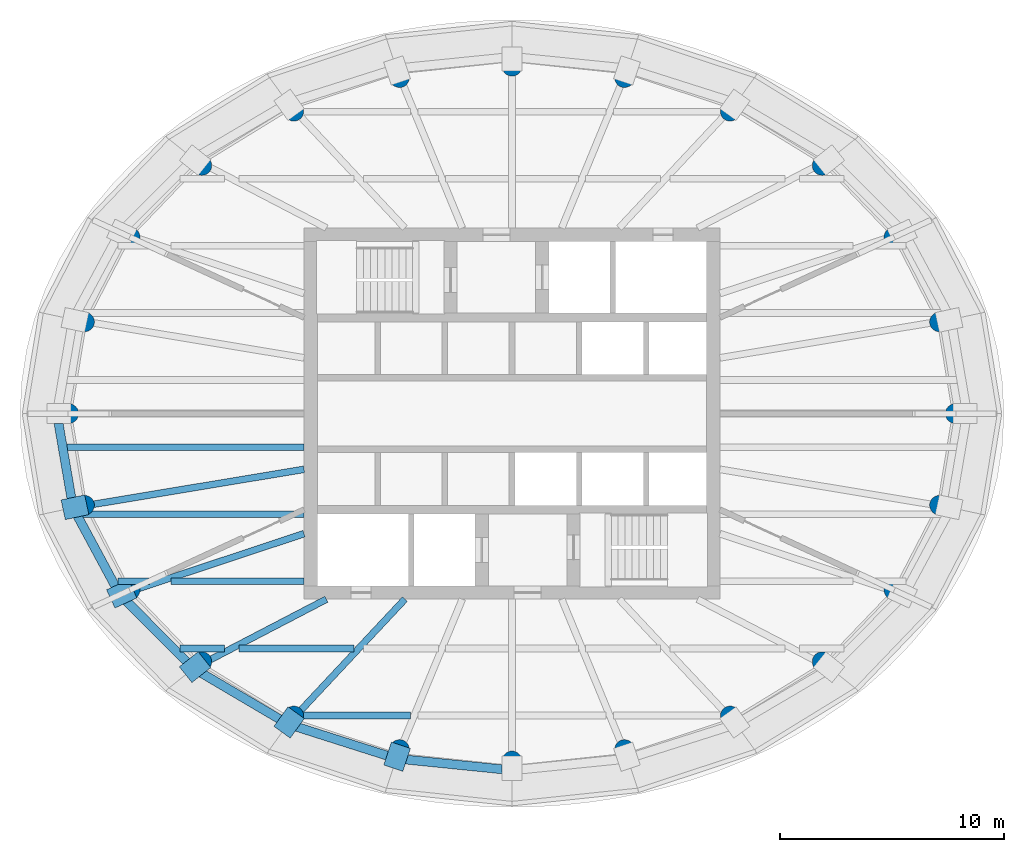
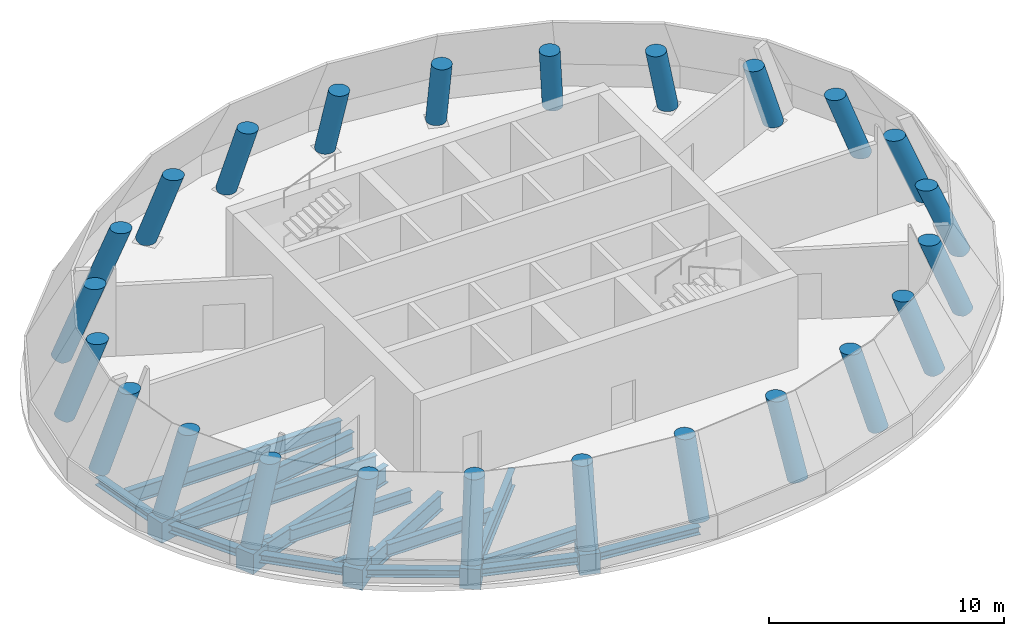
# One storey, part 1 of 6: 24 columns, 22 beams.
"""IFC4 building model written with IfcOpenShell, lengths in metres."""

from ifc_helpers import new_model, si_unit, direction, frame, origin, origin_2d, place, context, subcontext, project, spatial, rectangle, circle, i_section, extrude, clip, halfspace, material, material_profile, profile_set, type_object, element, save


model = new_model("IFC4")

# Units and contexts
model_context = context("Model", 3, precision=1e-05, world=origin(), true_north=direction((0.0, 1.0)))
body_context = subcontext(model_context, "Body", "Model", "MODEL_VIEW")
ifc_project = project(units=[si_unit("LENGTHUNIT", "METRE"), si_unit("AREAUNIT", "SQUARE_METRE"), si_unit("VOLUMEUNIT", "CUBIC_METRE"), si_unit("PLANEANGLEUNIT", "RADIAN"), si_unit("MASSUNIT", "GRAM", prefix="KILO")], contexts=[model_context])

# Site, building, storey
site_placement = place(None, origin())
site = spatial("IfcSite", under=ifc_project, at=site_placement, CompositionType="ELEMENT")
building_placement = place(site_placement, origin())
building = spatial("IfcBuilding", under=site, at=building_placement, Name="Hankou Lantern Tower", CompositionType="ELEMENT")
storey_placement = place(building_placement, frame((0.0, 0.0, 232.5)))
storey = spatial("IfcBuildingStorey", under=building, at=storey_placement, Name="L63", CompositionType="ELEMENT", Elevation=232.5)

# Columns
ifc_material_1 = material(Name="Concrete C50", Category="concrete")
ifc_material_profile_1 = material_profile(ifc_material_1, circle(Radius=0.449951171875, at=origin_2d()), Name="RC D900")
ifc_profile_set_1 = profile_set([ifc_material_profile_1], Name="Concrete C50")
column_type = type_object("IfcColumnType", Name="TC5 PERIMETER COLUMN RC D900", PredefinedType="COLUMN", material=ifc_profile_set_1)
column_1_placement = place(storey_placement, frame((20.35009765625, 0.0, 0.0), z_axis=(-0.376406117504, 0.0, 0.926454766681), x_axis=(0.0, -1.0, 0.0)))
element("IfcColumn", 1, at=column_1_placement, inside=storey, type_object=column_type, Name="Column R01 L63", PredefinedType="COLUMN", context=body_context, shape_type="Clipping", body=[
    clip(clip(extrude(circle(Radius=0.449951171875, at=origin_2d()), origin(), (0.0, 0.0, 1.0), 5.18115234375), halfspace(frame((0.0, 0.0, 0.0), z_axis=(0.0, -0.376406117504, -0.926454766681), x_axis=(0.0, 0.926454766681, -0.376406117504)), False)), halfspace(frame((0.0, 0.0, 4.047607421875), z_axis=(0.0, 0.376406117504, 0.926454766681), x_axis=(0.0, 0.926454766681, -0.376406117504)), False)),
])
column_2_placement = place(storey_placement, frame((19.629150390625, 4.207763671875, 0.0), z_axis=(-0.364048168822, -0.078030552783, 0.928105685582), x_axis=(0.209581040709, -0.977791280067, 0.0)))
element("IfcColumn", 2, at=column_2_placement, inside=storey, type_object=column_type, Name="Column R02 L63", PredefinedType="COLUMN", context=body_context, shape_type="Clipping", body=[
    clip(clip(extrude(circle(Radius=0.449951171875, at=origin_2d()), origin(), (0.0, 0.0, 1.0), 5.171875), halfspace(frame((0.0, 0.0, 0.0), z_axis=(0.0, -0.372316849458, -0.928105685582), x_axis=(0.209581040709, 0.907493646343, -0.364048168822)), False)), halfspace(frame((0.0, 0.0, 4.04052734375), z_axis=(0.0, 0.372316849458, 0.928105685582), x_axis=(0.209581040709, 0.907493646343, -0.364048168822)), False)),
])
column_3_placement = place(storey_placement, frame((17.5322265625, 8.097900390625, 0.0), z_axis=(-0.327587930128, -0.151318490748, 0.932624716803), x_axis=(0.419341586942, -0.907828526464, 0.0)))
element("IfcColumn", 3, at=column_3_placement, inside=storey, type_object=column_type, Name="Column R03 L63", PredefinedType="COLUMN", context=body_context, shape_type="Clipping", body=[
    clip(clip(extrude(circle(Radius=0.449951171875, at=origin_2d()), origin(), (0.0, 0.0, 1.0), 5.146728515625), halfspace(frame((0.0, 0.0, 0.0), z_axis=(0.0, -0.360847803939, -0.932624716803), x_axis=(0.419341586942, 0.846663322399, -0.327587930128)), False)), halfspace(frame((0.0, 0.0, 4.02099609375), z_axis=(0.0, 0.360847803939, 0.932624716803), x_axis=(0.419341586942, 0.846663322399, -0.327587930128)), False)),
])
column_4_placement = place(storey_placement, frame((14.241455078125, 11.393310546875, 0.0), z_axis=(-0.268846792682, -0.215077434146, 0.938862662686), x_axis=(0.624695047554, -0.780868809443, 0.0)))
element("IfcColumn", 4, at=column_4_placement, inside=storey, type_object=column_type, Name="Column R04 L63", PredefinedType="COLUMN", context=body_context, shape_type="Clipping", body=[
    clip(clip(extrude(circle(Radius=0.449951171875, at=origin_2d()), origin(), (0.0, 0.0, 1.0), 5.112548828125), halfspace(frame((0.0, 0.0, 0.0), z_axis=(0.0, -0.344291882876, -0.938862662686), x_axis=(0.624695047554, 0.733128569642, -0.268846792682)), False)), halfspace(frame((0.0, 0.0, 3.994140625), z_axis=(0.0, 0.344291882876, 0.938862662686), x_axis=(0.624695047554, 0.733128569642, -0.268846792682)), False)),
])
column_5_placement = place(storey_placement, frame((10.01904296875, 13.8828125, 0.0), z_axis=(-0.191050042775, -0.264749014989, 0.945202539257), x_axis=(0.810908255793, -0.585173308248, 0.0)))
element("IfcColumn", 5, at=column_5_placement, inside=storey, type_object=column_type, Name="Column R05 L63", PredefinedType="COLUMN", context=body_context, shape_type="Clipping", body=[
    clip(clip(extrude(circle(Radius=0.449951171875, at=origin_2d()), origin(), (0.0, 0.0, 1.0), 5.078369140625), halfspace(frame((0.0, 0.0, 0.0), z_axis=(0.0, -0.326484547539, -0.945202539257), x_axis=(0.810908255793, 0.553107296862, -0.191050042775)), False)), halfspace(frame((0.0, 0.0, 3.96728515625), z_axis=(0.0, 0.326484547539, 0.945202539257), x_axis=(0.810908255793, 0.553107296862, -0.191050042775)), False)),
])
column_6_placement = place(storey_placement, frame((5.167236328125, 15.42724609375, 0.0), z_axis=(-0.099283916017, -0.296402347816, 0.949888599905), x_axis=(0.948218601657, -0.317618455812, 0.0)))
element("IfcColumn", 6, at=column_6_placement, inside=storey, type_object=column_type, Name="Column R06 L63", PredefinedType="COLUMN", context=body_context, shape_type="Clipping", body=[
    clip(clip(extrude(circle(Radius=0.449951171875, at=origin_2d()), origin(), (0.0, 0.0, 1.0), 5.05322265625), halfspace(frame((0.0, 0.0, 0.0), z_axis=(0.0, -0.312588623866, -0.949888599905), x_axis=(0.948218601657, 0.301702150295, -0.099283916017)), False)), halfspace(frame((0.0, 0.0, 3.94775390625), z_axis=(0.0, 0.312588623866, 0.949888599905), x_axis=(0.948218601657, 0.301702150295, -0.099283916017)), False)),
])
column_7_placement = place(storey_placement, frame((0.0, 15.949951171875, 0.0), z_axis=(0.0, -0.307298326347, 0.951613229534), x_axis=(1.0, 0.0, 0.0)))
element("IfcColumn", 7, at=column_7_placement, inside=storey, type_object=column_type, Name="Column R07 L63", PredefinedType="COLUMN", context=body_context, shape_type="Clipping", body=[
    clip(clip(extrude(circle(Radius=0.449951171875, at=origin_2d()), origin(), (0.0, 0.0, 1.0), 5.044189453125), halfspace(frame((0.0, 0.0, 0.0), z_axis=(0.0, -0.307298326347, -0.951613229534), x_axis=(1.0, 0.0, 0.0)), False)), halfspace(frame((0.0, 0.0, 3.940673828125), z_axis=(0.0, 0.307298326347, 0.951613229534), x_axis=(1.0, 0.0, 0.0)), False)),
])
column_8_placement = place(storey_placement, frame((-5.167236328125, 15.42724609375, 0.0), z_axis=(0.099283916017, -0.296402347816, 0.949888599905), x_axis=(0.948218601657, 0.317618455812, 0.0)))
element("IfcColumn", 8, at=column_8_placement, inside=storey, type_object=column_type, Name="Column R08 L63", PredefinedType="COLUMN", context=body_context, shape_type="Clipping", body=[
    clip(clip(extrude(circle(Radius=0.449951171875, at=origin_2d()), origin(), (0.0, 0.0, 1.0), 5.05322265625), halfspace(frame((0.0, 0.0, 0.0), z_axis=(0.0, -0.312588623866, -0.949888599905), x_axis=(0.948218601657, -0.301702150295, 0.099283916017)), False)), halfspace(frame((0.0, 0.0, 3.94775390625), z_axis=(0.0, 0.312588623866, 0.949888599905), x_axis=(0.948218601657, -0.301702150295, 0.099283916017)), False)),
])
column_9_placement = place(storey_placement, frame((-10.01904296875, 13.8828125, 0.0), z_axis=(0.191050042775, -0.264749014989, 0.945202539257), x_axis=(0.810908255793, 0.585173308248, 0.0)))
element("IfcColumn", 9, at=column_9_placement, inside=storey, type_object=column_type, Name="Column R09 L63", PredefinedType="COLUMN", context=body_context, shape_type="Clipping", body=[
    clip(clip(extrude(circle(Radius=0.449951171875, at=origin_2d()), origin(), (0.0, 0.0, 1.0), 5.078369140625), halfspace(frame((0.0, 0.0, 0.0), z_axis=(0.0, -0.326484547539, -0.945202539257), x_axis=(0.810908255793, -0.553107296862, 0.191050042775)), False)), halfspace(frame((0.0, 0.0, 3.96728515625), z_axis=(0.0, 0.326484547539, 0.945202539257), x_axis=(0.810908255793, -0.553107296862, 0.191050042775)), False)),
])
column_10_placement = place(storey_placement, frame((-14.241455078125, 11.393310546875, 0.0), z_axis=(0.268846792682, -0.215077434146, 0.938862662686), x_axis=(0.624695047554, 0.780868809443, 0.0)))
element("IfcColumn", 10, at=column_10_placement, inside=storey, type_object=column_type, Name="Column R10 L63", PredefinedType="COLUMN", context=body_context, shape_type="Clipping", body=[
    clip(clip(extrude(circle(Radius=0.449951171875, at=origin_2d()), origin(), (0.0, 0.0, 1.0), 5.112548828125), halfspace(frame((0.0, 0.0, 0.0), z_axis=(0.0, -0.344291882876, -0.938862662686), x_axis=(0.624695047554, -0.733128569642, 0.268846792682)), False)), halfspace(frame((0.0, 0.0, 3.994140625), z_axis=(0.0, 0.344291882876, 0.938862662686), x_axis=(0.624695047554, -0.733128569642, 0.268846792682)), False)),
])
column_11_placement = place(storey_placement, frame((-17.5322265625, 8.097900390625, 0.0), z_axis=(0.327587930128, -0.151318490748, 0.932624716803), x_axis=(0.419341586942, 0.907828526464, 0.0)))
element("IfcColumn", 11, at=column_11_placement, inside=storey, type_object=column_type, Name="Column R11 L63", PredefinedType="COLUMN", context=body_context, shape_type="Clipping", body=[
    clip(clip(extrude(circle(Radius=0.449951171875, at=origin_2d()), origin(), (0.0, 0.0, 1.0), 5.146728515625), halfspace(frame((0.0, 0.0, 0.0), z_axis=(0.0, -0.360847803939, -0.932624716803), x_axis=(0.419341586942, -0.846663322399, 0.327587930128)), False)), halfspace(frame((0.0, 0.0, 4.02099609375), z_axis=(0.0, 0.360847803939, 0.932624716803), x_axis=(0.419341586942, -0.846663322399, 0.327587930128)), False)),
])
column_12_placement = place(storey_placement, frame((-19.629150390625, 4.207763671875, 0.0), z_axis=(0.364048168822, -0.078030552783, 0.928105685582), x_axis=(0.209581040709, 0.977791280067, 0.0)))
element("IfcColumn", 12, at=column_12_placement, inside=storey, type_object=column_type, Name="Column R12 L63", PredefinedType="COLUMN", context=body_context, shape_type="Clipping", body=[
    clip(clip(extrude(circle(Radius=0.449951171875, at=origin_2d()), origin(), (0.0, 0.0, 1.0), 5.171875), halfspace(frame((0.0, 0.0, 0.0), z_axis=(0.0, -0.372316849458, -0.928105685582), x_axis=(0.209581040709, -0.907493646343, 0.364048168822)), False)), halfspace(frame((0.0, 0.0, 4.04052734375), z_axis=(0.0, 0.372316849458, 0.928105685582), x_axis=(0.209581040709, -0.907493646343, 0.364048168822)), False)),
])
column_13_placement = place(storey_placement, frame((-20.35009765625, 0.0, 0.0), z_axis=(0.376406117504, 0.0, 0.926454766681), x_axis=(0.0, 1.0, 0.0)))
element("IfcColumn", 13, at=column_13_placement, inside=storey, type_object=column_type, Name="Column R13 L63", PredefinedType="COLUMN", context=body_context, shape_type="Clipping", body=[
    clip(clip(extrude(circle(Radius=0.449951171875, at=origin_2d()), origin(), (0.0, 0.0, 1.0), 5.18115234375), halfspace(frame((0.0, 0.0, 0.0), z_axis=(0.0, -0.376406117504, -0.926454766681), x_axis=(0.0, -0.926454766681, 0.376406117504)), False)), halfspace(frame((0.0, 0.0, 4.047607421875), z_axis=(0.0, 0.376406117504, 0.926454766681), x_axis=(0.0, -0.926454766681, 0.376406117504)), False)),
])
column_14_placement = place(storey_placement, frame((-19.629150390625, -4.207763671875, 0.0), z_axis=(0.364048168822, 0.078030552783, 0.928105685582), x_axis=(-0.209581040709, 0.977791280067, 0.0)))
element("IfcColumn", 14, at=column_14_placement, inside=storey, type_object=column_type, Name="Column R14 L63", PredefinedType="COLUMN", context=body_context, shape_type="Clipping", body=[
    clip(clip(extrude(circle(Radius=0.449951171875, at=origin_2d()), origin(), (0.0, 0.0, 1.0), 5.171875), halfspace(frame((0.0, 0.0, 0.0), z_axis=(0.0, -0.372316849458, -0.928105685582), x_axis=(-0.209581040709, -0.907493646343, 0.364048168822)), False)), halfspace(frame((0.0, 0.0, 4.04052734375), z_axis=(0.0, 0.372316849458, 0.928105685582), x_axis=(-0.209581040709, -0.907493646343, 0.364048168822)), False)),
])
column_15_placement = place(storey_placement, frame((-17.5322265625, -8.097900390625, 0.0), z_axis=(0.327587930128, 0.151318490748, 0.932624716803), x_axis=(-0.419341586942, 0.907828526464, 0.0)))
element("IfcColumn", 15, at=column_15_placement, inside=storey, type_object=column_type, Name="Column R15 L63", PredefinedType="COLUMN", context=body_context, shape_type="Clipping", body=[
    clip(clip(extrude(circle(Radius=0.449951171875, at=origin_2d()), origin(), (0.0, 0.0, 1.0), 5.146728515625), halfspace(frame((0.0, 0.0, 0.0), z_axis=(0.0, -0.360847803939, -0.932624716803), x_axis=(-0.419341586942, -0.846663322399, 0.327587930128)), False)), halfspace(frame((0.0, 0.0, 4.02099609375), z_axis=(0.0, 0.360847803939, 0.932624716803), x_axis=(-0.419341586942, -0.846663322399, 0.327587930128)), False)),
])
column_16_placement = place(storey_placement, frame((-14.241455078125, -11.393310546875, 0.0), z_axis=(0.268846792682, 0.215077434146, 0.938862662686), x_axis=(-0.624695047554, 0.780868809443, 0.0)))
element("IfcColumn", 16, at=column_16_placement, inside=storey, type_object=column_type, Name="Column R16 L63", PredefinedType="COLUMN", context=body_context, shape_type="Clipping", body=[
    clip(clip(extrude(circle(Radius=0.449951171875, at=origin_2d()), origin(), (0.0, 0.0, 1.0), 5.112548828125), halfspace(frame((0.0, 0.0, 0.0), z_axis=(0.0, -0.344291882876, -0.938862662686), x_axis=(-0.624695047554, -0.733128569642, 0.268846792682)), False)), halfspace(frame((0.0, 0.0, 3.994140625), z_axis=(0.0, 0.344291882876, 0.938862662686), x_axis=(-0.624695047554, -0.733128569642, 0.268846792682)), False)),
])
column_17_placement = place(storey_placement, frame((-10.01904296875, -13.8828125, 0.0), z_axis=(0.191050042775, 0.264749014989, 0.945202539257), x_axis=(-0.810908255793, 0.585173308248, 0.0)))
element("IfcColumn", 17, at=column_17_placement, inside=storey, type_object=column_type, Name="Column R17 L63", PredefinedType="COLUMN", context=body_context, shape_type="Clipping", body=[
    clip(clip(extrude(circle(Radius=0.449951171875, at=origin_2d()), origin(), (0.0, 0.0, 1.0), 5.078369140625), halfspace(frame((0.0, 0.0, 0.0), z_axis=(0.0, -0.326484547539, -0.945202539257), x_axis=(-0.810908255793, -0.553107296862, 0.191050042775)), False)), halfspace(frame((0.0, 0.0, 3.96728515625), z_axis=(0.0, 0.326484547539, 0.945202539257), x_axis=(-0.810908255793, -0.553107296862, 0.191050042775)), False)),
])
column_18_placement = place(storey_placement, frame((-5.167236328125, -15.42724609375, 0.0), z_axis=(0.099283916017, 0.296402347816, 0.949888599905), x_axis=(-0.948218601657, 0.317618455812, 0.0)))
element("IfcColumn", 18, at=column_18_placement, inside=storey, type_object=column_type, Name="Column R18 L63", PredefinedType="COLUMN", context=body_context, shape_type="Clipping", body=[
    clip(clip(extrude(circle(Radius=0.449951171875, at=origin_2d()), origin(), (0.0, 0.0, 1.0), 5.05322265625), halfspace(frame((0.0, 0.0, 0.0), z_axis=(0.0, -0.312588623866, -0.949888599905), x_axis=(-0.948218601657, -0.301702150295, 0.099283916017)), False)), halfspace(frame((0.0, 0.0, 3.94775390625), z_axis=(0.0, 0.312588623866, 0.949888599905), x_axis=(-0.948218601657, -0.301702150295, 0.099283916017)), False)),
])
column_19_placement = place(storey_placement, frame((0.0, -15.949951171875, 0.0), z_axis=(0.0, 0.307298326347, 0.951613229534), x_axis=(-1.0, 0.0, 0.0)))
element("IfcColumn", 19, at=column_19_placement, inside=storey, type_object=column_type, Name="Column R19 L63", PredefinedType="COLUMN", context=body_context, shape_type="Clipping", body=[
    clip(clip(extrude(circle(Radius=0.449951171875, at=origin_2d()), origin(), (0.0, 0.0, 1.0), 5.044189453125), halfspace(frame((0.0, 0.0, 0.0), z_axis=(0.0, -0.307298326347, -0.951613229534), x_axis=(-1.0, 0.0, 0.0)), False)), halfspace(frame((0.0, 0.0, 3.940673828125), z_axis=(0.0, 0.307298326347, 0.951613229534), x_axis=(-1.0, 0.0, 0.0)), False)),
])
column_20_placement = place(storey_placement, frame((5.167236328125, -15.42724609375, 0.0), z_axis=(-0.099283916017, 0.296402347816, 0.949888599905), x_axis=(-0.948218601657, -0.317618455812, 0.0)))
element("IfcColumn", 20, at=column_20_placement, inside=storey, type_object=column_type, Name="Column R20 L63", PredefinedType="COLUMN", context=body_context, shape_type="Clipping", body=[
    clip(clip(extrude(circle(Radius=0.449951171875, at=origin_2d()), origin(), (0.0, 0.0, 1.0), 5.05322265625), halfspace(frame((0.0, 0.0, 0.0), z_axis=(0.0, -0.312588623866, -0.949888599905), x_axis=(-0.948218601657, 0.301702150295, -0.099283916017)), False)), halfspace(frame((0.0, 0.0, 3.94775390625), z_axis=(0.0, 0.312588623866, 0.949888599905), x_axis=(-0.948218601657, 0.301702150295, -0.099283916017)), False)),
])
column_21_placement = place(storey_placement, frame((10.01904296875, -13.8828125, 0.0), z_axis=(-0.191050042775, 0.264749014989, 0.945202539257), x_axis=(-0.810908255793, -0.585173308248, 0.0)))
element("IfcColumn", 21, at=column_21_placement, inside=storey, type_object=column_type, Name="Column R21 L63", PredefinedType="COLUMN", context=body_context, shape_type="Clipping", body=[
    clip(clip(extrude(circle(Radius=0.449951171875, at=origin_2d()), origin(), (0.0, 0.0, 1.0), 5.078369140625), halfspace(frame((0.0, 0.0, 0.0), z_axis=(0.0, -0.326484547539, -0.945202539257), x_axis=(-0.810908255793, 0.553107296862, -0.191050042775)), False)), halfspace(frame((0.0, 0.0, 3.96728515625), z_axis=(0.0, 0.326484547539, 0.945202539257), x_axis=(-0.810908255793, 0.553107296862, -0.191050042775)), False)),
])
column_22_placement = place(storey_placement, frame((14.241455078125, -11.393310546875, 0.0), z_axis=(-0.268846792682, 0.215077434146, 0.938862662686), x_axis=(-0.624695047554, -0.780868809443, 0.0)))
element("IfcColumn", 22, at=column_22_placement, inside=storey, type_object=column_type, Name="Column R22 L63", PredefinedType="COLUMN", context=body_context, shape_type="Clipping", body=[
    clip(clip(extrude(circle(Radius=0.449951171875, at=origin_2d()), origin(), (0.0, 0.0, 1.0), 5.112548828125), halfspace(frame((0.0, 0.0, 0.0), z_axis=(0.0, -0.344291882876, -0.938862662686), x_axis=(-0.624695047554, 0.733128569642, -0.268846792682)), False)), halfspace(frame((0.0, 0.0, 3.994140625), z_axis=(0.0, 0.344291882876, 0.938862662686), x_axis=(-0.624695047554, 0.733128569642, -0.268846792682)), False)),
])
column_23_placement = place(storey_placement, frame((17.5322265625, -8.097900390625, 0.0), z_axis=(-0.327587930128, 0.151318490748, 0.932624716803), x_axis=(-0.419341586942, -0.907828526464, 0.0)))
element("IfcColumn", 23, at=column_23_placement, inside=storey, type_object=column_type, Name="Column R23 L63", PredefinedType="COLUMN", context=body_context, shape_type="Clipping", body=[
    clip(clip(extrude(circle(Radius=0.449951171875, at=origin_2d()), origin(), (0.0, 0.0, 1.0), 5.146728515625), halfspace(frame((0.0, 0.0, 0.0), z_axis=(0.0, -0.360847803939, -0.932624716803), x_axis=(-0.419341586942, 0.846663322399, -0.327587930128)), False)), halfspace(frame((0.0, 0.0, 4.02099609375), z_axis=(0.0, 0.360847803939, 0.932624716803), x_axis=(-0.419341586942, 0.846663322399, -0.327587930128)), False)),
])
column_24_placement = place(storey_placement, frame((19.629150390625, -4.207763671875, 0.0), z_axis=(-0.364048168822, 0.078030552783, 0.928105685582), x_axis=(-0.209581040709, -0.977791280067, 0.0)))
element("IfcColumn", 24, at=column_24_placement, inside=storey, type_object=column_type, Name="Column R24 L63", PredefinedType="COLUMN", context=body_context, shape_type="Clipping", body=[
    clip(clip(extrude(circle(Radius=0.449951171875, at=origin_2d()), origin(), (0.0, 0.0, 1.0), 5.171875), halfspace(frame((0.0, 0.0, 0.0), z_axis=(0.0, -0.372316849458, -0.928105685582), x_axis=(-0.209581040709, 0.907493646343, -0.364048168822)), False)), halfspace(frame((0.0, 0.0, 4.04052734375), z_axis=(0.0, 0.372316849458, 0.928105685582), x_axis=(-0.209581040709, 0.907493646343, -0.364048168822)), False)),
])

# Beams
ifc_material_2 = material(Name="Steel Q355B", Category="steel")
ifc_material_profile_2 = material_profile(ifc_material_2, i_section(OverallWidth=0.39990234375, OverallDepth=0.39990234375, WebThickness=0.012939453125, FlangeThickness=0.02099609375, FilletRadius=0.02197265625, at=origin_2d()), Name="HW400x400x13x21")
ifc_profile_set_2 = profile_set([ifc_material_profile_2], Name="Steel Q355B")
beam_type_1 = type_object("IfcBeamType", Name="EB19 RING BEAM HW400x400x13x21", PredefinedType="SPANDREL", material=ifc_profile_set_2)
beam_1_placement = place(storey_placement, frame((-20.35009765625, 0.0, -0.449951171875), z_axis=(0.168876512999, -0.98563721691, 0.0), x_axis=(0.98563721691, 0.168876512999, 0.0)))
element("IfcBeam", 25, at=beam_1_placement, inside=storey, type_object=beam_type_1, Name="Ring beam R13-R14 L63", PredefinedType="SPANDREL", context=body_context, shape_type="SweptSolid", body=[
    extrude(i_section(OverallWidth=0.39990234375, OverallDepth=0.39990234375, WebThickness=0.012939453125, FlangeThickness=0.02099609375, FilletRadius=0.02197265625, at=origin_2d()), origin(), (0.0, 0.0, 1.0), 4.26904296875),
])
beam_2_placement = place(storey_placement, frame((-19.629150390625, -4.207763671875, -0.449951171875), z_axis=(0.474491806611, -0.880259919262, 0.0), x_axis=(0.880259919262, 0.474491806611, 0.0)))
element("IfcBeam", 26, at=beam_2_placement, inside=storey, type_object=beam_type_1, Name="Ring beam R14-R15 L63", PredefinedType="SPANDREL", context=body_context, shape_type="SweptSolid", body=[
    extrude(i_section(OverallWidth=0.39990234375, OverallDepth=0.39990234375, WebThickness=0.012939453125, FlangeThickness=0.02099609375, FilletRadius=0.02197265625, at=origin_2d()), origin(), (0.0, 0.0, 1.0), 4.419189453125),
])
beam_3_placement = place(storey_placement, frame((-17.5322265625, -8.097900390625, -0.449951171875), z_axis=(0.706608588034, -0.707604623583, 0.0), x_axis=(0.707604623583, 0.706608588034, 0.0)))
element("IfcBeam", 27, at=beam_3_placement, inside=storey, type_object=beam_type_1, Name="Ring beam R15-R16 L63", PredefinedType="SPANDREL", context=body_context, shape_type="SweptSolid", body=[
    extrude(i_section(OverallWidth=0.39990234375, OverallDepth=0.39990234375, WebThickness=0.012939453125, FlangeThickness=0.02099609375, FilletRadius=0.02197265625, at=origin_2d()), origin(), (0.0, 0.0, 1.0), 4.6572265625),
])
beam_4_placement = place(storey_placement, frame((-14.241455078125, -11.393310546875, -0.449951171875), z_axis=(0.861422897323, -0.507888365655, 0.0), x_axis=(0.507888365655, 0.861422897323, 0.0)))
element("IfcBeam", 28, at=beam_4_placement, inside=storey, type_object=beam_type_1, Name="Ring beam R16-R17 L63", PredefinedType="SPANDREL", context=body_context, shape_type="SweptSolid", body=[
    extrude(i_section(OverallWidth=0.39990234375, OverallDepth=0.39990234375, WebThickness=0.012939453125, FlangeThickness=0.02099609375, FilletRadius=0.02197265625, at=origin_2d()), origin(), (0.0, 0.0, 1.0), 4.901611328125),
])
beam_5_placement = place(storey_placement, frame((-10.01904296875, -13.8828125, -0.449951171875), z_axis=(0.952887359315, -0.303324381574, 0.0), x_axis=(0.303324381574, 0.952887359315, 0.0)))
element("IfcBeam", 29, at=beam_5_placement, inside=storey, type_object=beam_type_1, Name="Ring beam R17-R18 L63", PredefinedType="SPANDREL", context=body_context, shape_type="SweptSolid", body=[
    extrude(i_section(OverallWidth=0.39990234375, OverallDepth=0.39990234375, WebThickness=0.012939453125, FlangeThickness=0.02099609375, FilletRadius=0.02197265625, at=origin_2d()), origin(), (0.0, 0.0, 1.0), 5.091796875),
])
beam_6_placement = place(storey_placement, frame((-5.167236328125, -15.42724609375, -0.449951171875), z_axis=(0.994922507736, -0.100643944676, 0.0), x_axis=(0.100643944676, 0.994922507736, 0.0)))
element("IfcBeam", 30, at=beam_6_placement, inside=storey, type_object=beam_type_1, Name="Ring beam R18-R19 L63", PredefinedType="SPANDREL", context=body_context, shape_type="SweptSolid", body=[
    extrude(i_section(OverallWidth=0.39990234375, OverallDepth=0.39990234375, WebThickness=0.012939453125, FlangeThickness=0.02099609375, FilletRadius=0.02197265625, at=origin_2d()), origin(), (0.0, 0.0, 1.0), 5.193603515625),
])
ifc_material_3 = material(Name="Steel Q355B", Category="steel")
ifc_material_profile_3 = material_profile(ifc_material_3, i_section(OverallWidth=0.300048828125, OverallDepth=0.89990234375, WebThickness=0.01611328125, FlangeThickness=0.028076171875, FilletRadius=0.01806640625, at=origin_2d()), Name="HN900x300x16x28")
ifc_profile_set_3 = profile_set([ifc_material_profile_3], Name="Steel Q355B")
beam_type_2 = type_object("IfcBeamType", Name="RB13 RADIAL BEAM HN900x300x16x28", PredefinedType="BEAM", material=ifc_profile_set_3)
beam_7_placement = place(storey_placement, frame((-9.300048828125, -2.491943359375, -0.699951171875), z_axis=(-0.986482007061, -0.163869612027, 0.0), x_axis=(0.163869612027, -0.986482007061, 0.0)))
element("IfcBeam", 31, at=beam_7_placement, inside=storey, type_object=beam_type_2, Name="Radial beam R14 L63", PredefinedType="BEAM", context=body_context, shape_type="SweptSolid", body=[
    extrude(i_section(OverallWidth=0.300048828125, OverallDepth=0.89990234375, WebThickness=0.01611328125, FlangeThickness=0.028076171875, FilletRadius=0.01806640625, at=origin_2d()), origin(), (0.0, 0.0, 1.0), 10.470703125),
])
beam_8_placement = place(storey_placement, frame((-9.300048828125, -5.369384765625, -0.699951171875), z_axis=(-0.949219608576, -0.314614263337, 0.0), x_axis=(0.314614263337, -0.949219608576, 0.0)))
element("IfcBeam", 32, at=beam_8_placement, inside=storey, type_object=beam_type_2, Name="Radial beam R15 L63", PredefinedType="BEAM", context=body_context, shape_type="SweptSolid", body=[
    extrude(i_section(OverallWidth=0.300048828125, OverallDepth=0.89990234375, WebThickness=0.01611328125, FlangeThickness=0.028076171875, FilletRadius=0.01806640625, at=origin_2d()), origin(), (0.0, 0.0, 1.0), 8.672607421875),
])
beam_9_placement = place(storey_placement, frame((-8.300048828125, -8.300048828125, -0.699951171875), z_axis=(-0.886988734783, -0.461791061378, 0.0), x_axis=(0.461791061378, -0.886988734783, 0.0)))
element("IfcBeam", 33, at=beam_9_placement, inside=storey, type_object=beam_type_2, Name="Radial beam R16 L63", PredefinedType="BEAM", context=body_context, shape_type="SweptSolid", body=[
    extrude(i_section(OverallWidth=0.300048828125, OverallDepth=0.89990234375, WebThickness=0.01611328125, FlangeThickness=0.028076171875, FilletRadius=0.01806640625, at=origin_2d()), origin(), (0.0, 0.0, 1.0), 6.698486328125),
])
beam_10_placement = place(storey_placement, frame((-4.7919921875, -8.300048828125, -0.699951171875), z_axis=(-0.68346844743, -0.729980055459, 0.0), x_axis=(0.729980055459, -0.68346844743, 0.0)))
element("IfcBeam", 34, at=beam_10_placement, inside=storey, type_object=beam_type_2, Name="Radial beam R17 L63", PredefinedType="BEAM", context=body_context, shape_type="SweptSolid", body=[
    extrude(i_section(OverallWidth=0.300048828125, OverallDepth=0.89990234375, WebThickness=0.01611328125, FlangeThickness=0.028076171875, FilletRadius=0.01806640625, at=origin_2d()), origin(), (0.0, 0.0, 1.0), 7.64794921875),
])
ifc_material_4 = material(Name="Steel Q355B", Category="steel")
ifc_material_profile_4 = material_profile(ifc_material_4, i_section(OverallWidth=0.300048828125, OverallDepth=0.75, WebThickness=0.012939453125, FlangeThickness=0.02392578125, FilletRadius=0.01806640625, at=origin_2d()), Name="HN750x300x13x24")
ifc_profile_set_4 = profile_set([ifc_material_profile_4], Name="Steel Q355B")
beam_type_3 = type_object("IfcBeamType", Name="SB10 SECONDARY BEAM HN750x300x13x24", PredefinedType="JOIST", material=ifc_profile_set_4)
beam_11_placement = place(storey_placement, frame((-19.244384765625, -4.5, -0.625), z_axis=(1.0, 0.0, 0.0), x_axis=(0.0, 1.0, 0.0)))
element("IfcBeam", 35, at=beam_11_placement, inside=storey, type_object=beam_type_3, Name="Floor joist J017 L63", PredefinedType="JOIST", context=body_context, shape_type="SweptSolid", body=[
    extrude(i_section(OverallWidth=0.300048828125, OverallDepth=0.75, WebThickness=0.012939453125, FlangeThickness=0.02392578125, FilletRadius=0.01806640625, at=origin_2d()), origin(), (0.0, 0.0, 1.0), 9.9443359375),
])
beam_12_placement = place(storey_placement, frame((-19.89013671875, -1.5, -0.625), z_axis=(1.0, 0.0, 0.0), x_axis=(0.0, 1.0, 0.0)))
element("IfcBeam", 36, at=beam_12_placement, inside=storey, type_object=beam_type_3, Name="Floor joist J019 L63", PredefinedType="JOIST", context=body_context, shape_type="SweptSolid", body=[
    extrude(i_section(OverallWidth=0.300048828125, OverallDepth=0.75, WebThickness=0.012939453125, FlangeThickness=0.02392578125, FilletRadius=0.01806640625, at=origin_2d()), origin(), (0.0, 0.0, 1.0), 10.590087890625),
])
ifc_material_5 = material(Name="Steel Q355B", Category="steel")
ifc_material_profile_5 = material_profile(ifc_material_5, i_section(OverallWidth=0.300048828125, OverallDepth=0.64990234375, WebThickness=0.010986328125, FlangeThickness=0.01708984375, FilletRadius=0.01806640625, at=origin_2d()), Name="HN650x300x11x17")
ifc_profile_set_5 = profile_set([ifc_material_profile_5], Name="Steel Q355B")
beam_type_4 = type_object("IfcBeamType", Name="SB8 SECONDARY BEAM HN650x300x11x17", PredefinedType="JOIST", material=ifc_profile_set_5)
beam_13_placement = place(storey_placement, frame((-9.455078125, -13.5, -0.574951171875), z_axis=(1.0, 0.0, 0.0), x_axis=(0.0, 1.0, 0.0)))
element("IfcBeam", 37, at=beam_13_placement, inside=storey, type_object=beam_type_4, Name="Floor joist J001 L63", PredefinedType="JOIST", context=body_context, shape_type="SweptSolid", body=[
    extrude(i_section(OverallWidth=0.300048828125, OverallDepth=0.64990234375, WebThickness=0.010986328125, FlangeThickness=0.01708984375, FilletRadius=0.01806640625, at=origin_2d()), origin(), (0.0, 0.0, 1.0), 4.92138671875),
])
beam_14_placement = place(storey_placement, frame((-14.850830078125, -10.5, -0.574951171875), z_axis=(1.0, 0.0, 0.0), x_axis=(0.0, 1.0, 0.0)))
element("IfcBeam", 38, at=beam_14_placement, inside=storey, type_object=beam_type_4, Name="Floor joist J005 L63", PredefinedType="JOIST", context=body_context, shape_type="SweptSolid", body=[
    extrude(i_section(OverallWidth=0.300048828125, OverallDepth=0.64990234375, WebThickness=0.010986328125, FlangeThickness=0.01708984375, FilletRadius=0.01806640625, at=origin_2d()), origin(), (0.0, 0.0, 1.0), 2.000244140625),
])
beam_15_placement = place(storey_placement, frame((-12.200927734375, -10.5, -0.574951171875), z_axis=(1.0, 0.0, 0.0), x_axis=(0.0, 1.0, 0.0)))
element("IfcBeam", 39, at=beam_15_placement, inside=storey, type_object=beam_type_4, Name="Floor joist J006 L63", PredefinedType="JOIST", context=body_context, shape_type="SweptSolid", body=[
    extrude(i_section(OverallWidth=0.300048828125, OverallDepth=0.64990234375, WebThickness=0.010986328125, FlangeThickness=0.01708984375, FilletRadius=0.01806640625, at=origin_2d()), origin(), (0.0, 0.0, 1.0), 5.1435546875),
])
beam_16_placement = place(storey_placement, frame((-17.627197265625, -7.5, -0.574951171875), z_axis=(1.0, 0.0, 0.0), x_axis=(0.0, 1.0, 0.0)))
element("IfcBeam", 40, at=beam_16_placement, inside=storey, type_object=beam_type_4, Name="Floor joist J013 L63", PredefinedType="JOIST", context=body_context, shape_type="SweptSolid", body=[
    extrude(i_section(OverallWidth=0.300048828125, OverallDepth=0.64990234375, WebThickness=0.010986328125, FlangeThickness=0.01708984375, FilletRadius=0.01806640625, at=origin_2d()), origin(), (0.0, 0.0, 1.0), 1.421875),
])
beam_17_placement = place(storey_placement, frame((-15.251708984375, -7.5, -0.574951171875), z_axis=(1.0, 0.0, 0.0), x_axis=(0.0, 1.0, 0.0)))
element("IfcBeam", 41, at=beam_17_placement, inside=storey, type_object=beam_type_4, Name="Floor joist J014 L63", PredefinedType="JOIST", context=body_context, shape_type="SweptSolid", body=[
    extrude(i_section(OverallWidth=0.300048828125, OverallDepth=0.64990234375, WebThickness=0.010986328125, FlangeThickness=0.01708984375, FilletRadius=0.01806640625, at=origin_2d()), origin(), (0.0, 0.0, 1.0), 5.95166015625),
])
ifc_material_6 = material(Name="Concrete C50", Category="concrete")
ifc_material_profile_6 = material_profile(ifc_material_6, rectangle(XDim=0.89990234375, YDim=1.050048828125, at=origin_2d()), Name="RC 900x1050")
ifc_profile_set_6 = profile_set([ifc_material_profile_6], Name="Concrete C50")
beam_type_5 = type_object("IfcBeamType", Name="TN4 TRANSFER NODE RC 900x1050", PredefinedType="BEAM", material=ifc_profile_set_6)
for number, where, z_axis, x_axis, name in (
    (42, (-20.069091796875, -4.302001953125, -0.52490234375), (0.977792487553, 0.209575407159, 0.0), (-0.209575407159, 0.977792487553, 0.0), "Transfer node R14 L63"),
    (43, (-17.940673828125, -8.286376953125, -0.52490234375), (0.907919679342, 0.419144194597, 0.0), (-0.419144194597, 0.907919679342, 0.0), "Transfer node R15 L63"),
):
    element("IfcBeam", number, at=place(storey_placement, frame(where, z_axis=z_axis, x_axis=x_axis)), inside=storey, type_object=beam_type_5, Name=name, PredefinedType="BEAM", context=body_context, shape_type="SweptSolid", body=[
        extrude(rectangle(XDim=0.89990234375, YDim=1.050048828125, at=origin_2d()), origin(), (0.0, 0.0, 1.0), 1.079833984375),
    ])
for number, where, z_axis, x_axis, name in (
    (44, (-14.593017578125, -11.67431640625, -0.52490234375), (0.780979062227, 0.624557206638, 0.0), (-0.624557206638, 0.780979062227, 0.0), "Transfer node R16 L63"),
    (45, (-10.282470703125, -14.247802734375, -0.52490234375), (0.585251178106, 0.810852057114, 0.0), (-0.810852057114, 0.585251178106, 0.0), "Transfer node R17 L63"),
    (46, (-5.31005859375, -15.85400390625, -0.52490234375), (0.317583672079, 0.948230252222, 0.0), (-0.948230252222, 0.317583672079, 0.0), "Transfer node R18 L63"),
):
    element("IfcBeam", number, at=place(storey_placement, frame(where, z_axis=z_axis, x_axis=x_axis)), inside=storey, type_object=beam_type_5, Name=name, PredefinedType="BEAM", context=body_context, shape_type="SweptSolid", body=[
        extrude(rectangle(XDim=0.89990234375, YDim=1.050048828125, at=origin_2d()), origin(), (0.0, 0.0, 1.0), 1.080078125),
    ])

save(model, "model.ifc")
